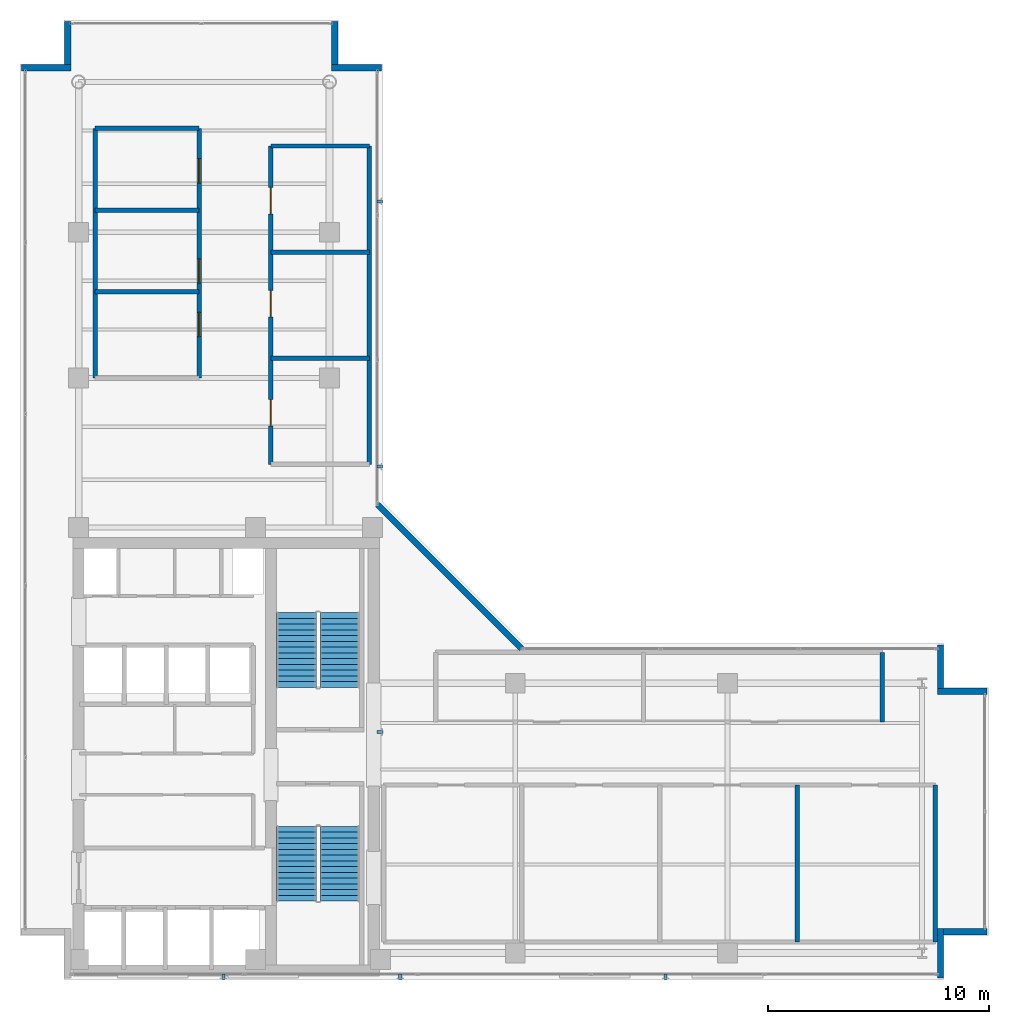
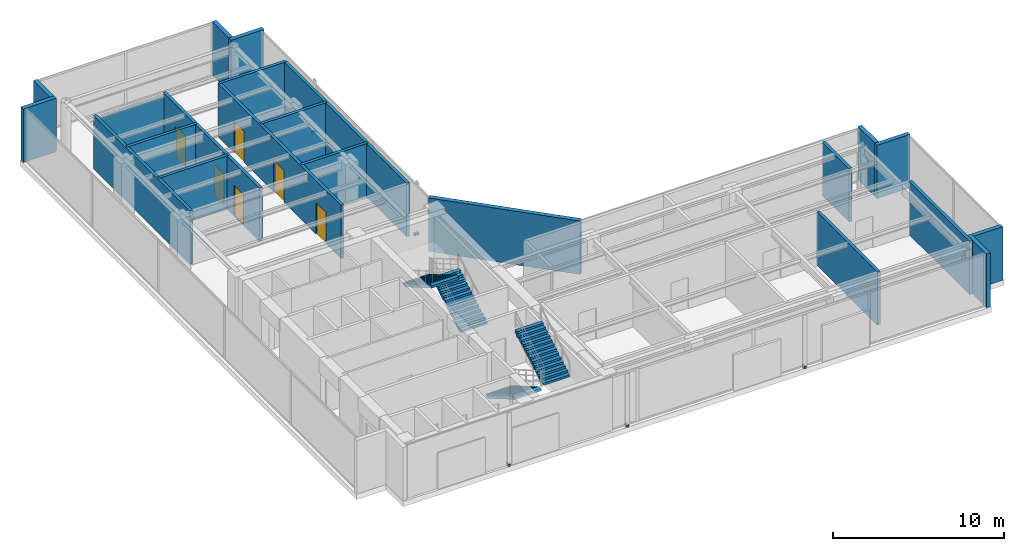
# One storey, part 21 of 24: 22 walls, 6 discrete accessories, 6 doors, 4 stair flights, 6 openings, 2 elements without a shape of their own.
"""IFC4 building model written with IfcOpenShell, lengths in metres."""

from ifc_helpers import new_model, si_unit, direction, frame, frame_2d, origin, origin_with_axes, origin_2d, place, context, subcontext, project, spatial, polyline, rectangle, outline, extrude, source, transform, mapped, material, layer, layer_set, type_object, element, fill, aggregate, save


model = new_model("IFC4")

# Units and contexts
model_context = context("Model", 3, precision=1e-05, world=origin(), true_north=direction((0.0, 1.0)))
body_context = subcontext(model_context, "Body", "Model", "MODEL_VIEW")
ifc_project = project(units=[si_unit("LENGTHUNIT", "METRE"), si_unit("AREAUNIT", "SQUARE_METRE"), si_unit("VOLUMEUNIT", "CUBIC_METRE"), si_unit("PLANEANGLEUNIT", "RADIAN"), si_unit("MASSUNIT", "GRAM", prefix="KILO")], contexts=[model_context])

# Site, building, storey
site_placement = place(None, origin())
site = spatial("IfcSite", under=ifc_project, at=site_placement, CompositionType="ELEMENT")
building_placement = place(site_placement, origin())
building = spatial("IfcBuilding", under=site, at=building_placement, Name="Kolvaren Waterfront Exchange", CompositionType="ELEMENT")
storey_placement = place(building_placement, frame((0.0, 0.0, 356.199951171875)))
storey = spatial("IfcBuildingStorey", under=building, at=storey_placement, Name="L91", CompositionType="ELEMENT", Elevation=356.199951171875)

# Walls
ifc_material_1 = material(Name="Precast concrete C40/50", Category="concrete")
ifc_layer_1 = layer(ifc_material_1, 0.280029296875, Name="Precast concrete C40/50")
ifc_layer_set_1 = layer_set([ifc_layer_1], Name="Precast concrete C40/50")
wall_type_1 = type_object("IfcWallType", Name="ARC-EXT-TERR-280", PredefinedType="SOLIDWALL", material=ifc_layer_set_1)
wall_1_placement = place(storey_placement, frame((46.43994140625, 4.06005859375, 0.0), z_axis=(0.0, 0.0, 1.0), x_axis=(0.0, 1.0, 0.0)))
element("IfcWall", 1, at=wall_1_placement, inside=storey, type_object=wall_type_1, Name="L91 notched corner spandrel pier SE-A", PredefinedType="SOLIDWALL", context=body_context, shape_type="SweptSolid", body=[
    extrude(rectangle(XDim=2.239990234375, YDim=0.280029296875, at=frame_2d((1.1201171875, 0.0))), origin(), (0.0, 0.0, 1.0), 3.820068359375),
])
wall_2_placement = place(storey_placement, frame((46.580078125, 6.159912109375, 0.0), z_axis=(0.0, 0.0, 1.0), x_axis=(1.0, 0.0, 0.0)))
element("IfcWall", 2, at=wall_2_placement, inside=storey, type_object=wall_type_1, Name="L91 notched corner spandrel pier SE-B", PredefinedType="SOLIDWALL", context=body_context, shape_type="SweptSolid", body=[
    extrude(rectangle(XDim=1.9599609375, YDim=0.280029296875, at=frame_2d((0.97998046875, 0.0))), origin(), (0.0, 0.0, 1.0), 3.820068359375),
])
wall_3_placement = place(storey_placement, frame((46.43994140625, 17.1650390625, 0.0), z_axis=(0.0, 0.0, 1.0), x_axis=(0.0, 1.0, 0.0)))
element("IfcWall", 3, at=wall_3_placement, inside=storey, type_object=wall_type_1, Name="L91 notched corner spandrel pier ENE-A", PredefinedType="SOLIDWALL", context=body_context, shape_type="SweptSolid", body=[
    extrude(rectangle(XDim=1.974853515625, YDim=0.280029296875, at=frame_2d((0.9873046875, 0.0))), origin(), (0.0, 0.0, 1.0), 3.820068359375),
])
for number, where, z_axis, x_axis, name in (
    (4, (46.300048828125, 17.0400390625, 0.0), (0.0, 0.0, 1.0), (1.0, 0.0, 0.0), "L91 notched corner spandrel pier ENE-B"),
    (5, (18.89990234375, 45.239990234375, 0.0), (0.0, 0.0, 1.0), (1.0, 0.0, 0.0), "L91 notched corner spandrel pier NNE-A"),
):
    element("IfcWall", number, at=place(storey_placement, frame(where, z_axis=z_axis, x_axis=x_axis)), inside=storey, type_object=wall_type_1, Name=name, PredefinedType="SOLIDWALL", context=body_context, shape_type="SweptSolid", body=[
        extrude(rectangle(XDim=2.239990234375, YDim=0.280029296875, at=frame_2d((1.1201171875, 0.0))), origin(), (0.0, 0.0, 1.0), 3.820068359375),
    ])
wall_4_placement = place(storey_placement, frame((19.0400390625, 45.3798828125, 0.0), z_axis=(0.0, 0.0, 1.0), x_axis=(0.0, 1.0, 0.0)))
element("IfcWall", 6, at=wall_4_placement, inside=storey, type_object=wall_type_1, Name="L91 notched corner spandrel pier NNE-B", PredefinedType="SOLIDWALL", context=body_context, shape_type="SweptSolid", body=[
    extrude(rectangle(XDim=1.960205078125, YDim=0.280029296875, at=frame_2d((0.97998046875, 0.0))), origin(), (0.0, 0.0, 1.0), 3.820068359375),
])
wall_5_placement = place(storey_placement, frame((4.860107421875, 45.239990234375, 0.0), z_axis=(0.0, 0.0, 1.0), x_axis=(1.0, 0.0, 0.0)))
element("IfcWall", 7, at=wall_5_placement, inside=storey, type_object=wall_type_1, Name="L91 notched corner spandrel pier NW-A", PredefinedType="SOLIDWALL", context=body_context, shape_type="SweptSolid", body=[
    extrude(rectangle(XDim=2.239990234375, YDim=0.280029296875, at=frame_2d((1.1201171875, 0.0))), origin(), (0.0, 0.0, 1.0), 3.820068359375),
])
wall_6_placement = place(storey_placement, frame((6.9599609375, 45.3798828125, 0.0), z_axis=(0.0, 0.0, 1.0), x_axis=(0.0, 1.0, 0.0)))
element("IfcWall", 8, at=wall_6_placement, inside=storey, type_object=wall_type_1, Name="L91 notched corner spandrel pier NW-B", PredefinedType="SOLIDWALL", context=body_context, shape_type="SweptSolid", body=[
    extrude(rectangle(XDim=1.960205078125, YDim=0.280029296875, at=frame_2d((0.97998046875, 0.0))), origin(), (0.0, 0.0, 1.0), 3.820068359375),
])
wall_7_placement = place(storey_placement, frame((27.485107421875, 18.97509765625, 0.0), z_axis=(0.0, 0.0, 1.0), x_axis=(-0.707106781187, 0.707106781187, 0.0)))
element("IfcWall", 9, at=wall_7_placement, inside=storey, type_object=wall_type_1, Name="L91 notched corner spandrel pier ELBOW", PredefinedType="SOLIDWALL", context=body_context, shape_type="SweptSolid", body=[
    extrude(rectangle(XDim=9.20654296875, YDim=0.280029296875, at=frame_2d((4.603271484375, 0.0))), origin(), (0.0, 0.0, 1.0), 3.820068359375),
])
ifc_layer_2 = layer(ifc_material_1, 0.199951171875, Name="Precast concrete C40/50")
ifc_layer_set_2 = layer_set([ifc_layer_2], Name="Precast concrete C40/50")
wall_type_2 = type_object("IfcWallType", Name="ARC-FIRE-200", PredefinedType="PARTITIONING", material=ifc_layer_set_2)
wall_8_placement = place(storey_placement, frame((43.800048828125, 15.64990234375, 0.0), z_axis=(0.0, 0.0, 1.0), x_axis=(0.0, 1.0, 0.0)))
element("IfcWall", 10, at=wall_8_placement, inside=storey, type_object=wall_type_2, Name="L91 interior wall PW-L91-NEPL-E", PredefinedType="PARTITIONING", context=body_context, shape_type="SweptSolid", body=[
    extrude(rectangle(XDim=3.150146484375, YDim=0.199951171875, at=frame_2d((1.5751953125, 0.0))), origin(), (0.0, 0.0, 1.0), 3.820068359375),
])
for number, where, z_axis, x_axis, name in (
    (11, (46.199951171875, 5.699951171875, 0.0), (0.0, 0.0, 1.0), (0.0, 1.0, 0.0), "L91 interior wall PW-L91-PL-E1"),
    (12, (39.9599609375, 5.699951171875, 0.0), (0.0, 0.0, 1.0), (0.0, 1.0, 0.0), "L91 interior wall PW-L91-PL-M1-3"),
):
    element("IfcWall", number, at=place(storey_placement, frame(where, z_axis=z_axis, x_axis=x_axis)), inside=storey, type_object=wall_type_2, Name=name, PredefinedType="PARTITIONING", context=body_context, shape_type="SweptSolid", body=[
        extrude(rectangle(XDim=7.10009765625, YDim=0.199951171875, at=frame_2d((3.550048828125, 0.0))), origin(), (0.0, 0.0, 1.0), 3.820068359375),
    ])

# Wall, openings, doors
wall_9_placement = place(storey_placement, frame((12.89990234375, 31.199951171875, 0.0), z_axis=(0.0, 0.0, 1.0), x_axis=(0.0, 1.0, 0.0)))
wall_9 = element("IfcWall", 13, at=wall_9_placement, inside=storey, type_object=wall_type_2, Name="L91 interior wall PW-L91-PL-E3", PredefinedType="PARTITIONING", context=body_context, shape_type="SweptSolid", body=[
    extrude(rectangle(XDim=11.300048828125, YDim=0.199951171875, at=frame_2d((5.64990234375, 0.0))), origin(), (0.0, 0.0, 1.0), 3.820068359375),
])
opening_1_placement = place(wall_9_placement, frame((1.875, 0.0, 0.0)))
opening_1 = element("IfcOpeningElement", 14, at=opening_1_placement, cuts=wall_9, Name="Opening FD2", PredefinedType="OPENING", context=body_context, shape_type="SweptSolid", body=[
    extrude(rectangle(XDim=1.10009765625, YDim=2.199951171875, at=frame_2d((0.550048828125, 1.10009765625))), frame((0.0, 0.10986328125, 0.0), z_axis=(0.0, -1.0, 0.0), x_axis=(1.0, 0.0, 0.0)), (0.0, 0.0, 1.0), 0.219970703125),
])
opening_2_placement = place(wall_9_placement, frame((4.300048828125, 0.0, 0.0)))
opening_2 = element("IfcOpeningElement", 15, at=opening_2_placement, cuts=wall_9, Name="Opening FD2", PredefinedType="OPENING", context=body_context, shape_type="SweptSolid", body=[
    extrude(rectangle(XDim=1.10009765625, YDim=2.199951171875, at=frame_2d((0.550048828125, 1.10009765625))), frame((0.0, 0.10986328125, 0.0), z_axis=(0.0, -1.0, 0.0), x_axis=(1.0, 0.0, 0.0)), (0.0, 0.0, 1.0), 0.219970703125),
])
opening_3_placement = place(wall_9_placement, frame((8.827392578125, 0.0, 0.0)))
opening_3 = element("IfcOpeningElement", 16, at=opening_3_placement, cuts=wall_9, Name="Opening FD2", PredefinedType="OPENING", context=body_context, shape_type="SweptSolid", body=[
    extrude(rectangle(XDim=1.10009765625, YDim=2.199951171875, at=frame_2d((0.550048828125, 1.10009765625))), frame((0.0, 0.10986328125, 0.0), z_axis=(0.0, -1.0, 0.0), x_axis=(1.0, 0.0, 0.0)), (0.0, 0.0, 1.0), 0.219970703125),
])
ifc_material_2 = material(Name="Pressed steel smoke-seal fire door", Category="steel")
door_type_1 = type_object("IfcDoorType", Name="ARC-FD-1100", OperationType="NOTDEFINED", PredefinedType="DOOR", material=ifc_material_2)
door_1_placement = place(opening_1_placement, origin())
door_1 = element("IfcDoor", 17, at=door_1_placement, inside=storey, type_object=door_type_1, Name="L91 door DR-L91-PLNW-D1 (FD2)", OperationType="SINGLE_SWING_LEFT", OverallHeight=2.199951171875, OverallWidth=1.10009765625, PredefinedType="DOOR", context=body_context, shape_type="SweptSolid", body=[
    extrude(rectangle(XDim=1.10009765625, YDim=2.199951171875, at=frame_2d((0.550048828125, 1.10009765625))), frame((0.0, 0.02490234375, 0.0), z_axis=(0.0, -1.0, 0.0), x_axis=(1.0, 0.0, 0.0)), (0.0, 0.0, 1.0), 0.050048828125),
])
fill(opening_1, door_1)
door_2_placement = place(opening_2_placement, origin())
door_2 = element("IfcDoor", 18, at=door_2_placement, inside=storey, type_object=door_type_1, Name="L91 door DR-L91-PLNW-D2 (FD2)", OperationType="SINGLE_SWING_RIGHT", OverallHeight=2.199951171875, OverallWidth=1.10009765625, PredefinedType="DOOR", context=body_context, shape_type="SweptSolid", body=[
    extrude(rectangle(XDim=1.10009765625, YDim=2.199951171875, at=frame_2d((0.550048828125, 1.10009765625))), frame((0.0, 0.02490234375, 0.0), z_axis=(0.0, -1.0, 0.0), x_axis=(1.0, 0.0, 0.0)), (0.0, 0.0, 1.0), 0.050048828125),
])
fill(opening_2, door_2)
door_3_placement = place(opening_3_placement, origin())
door_3 = element("IfcDoor", 19, at=door_3_placement, inside=storey, type_object=door_type_1, Name="L91 door DR-L91-PLNW-D3 (FD2)", OperationType="SINGLE_SWING_LEFT", OverallHeight=2.199951171875, OverallWidth=1.10009765625, PredefinedType="DOOR", context=body_context, shape_type="SweptSolid", body=[
    extrude(rectangle(XDim=1.10009765625, YDim=2.199951171875, at=frame_2d((0.550048828125, 1.10009765625))), frame((0.0, 0.02490234375, 0.0), z_axis=(0.0, -1.0, 0.0), x_axis=(1.0, 0.0, 0.0)), (0.0, 0.0, 1.0), 0.050048828125),
])
fill(opening_3, door_3)

# Walls
wall_10_placement = place(storey_placement, frame((8.199951171875, 31.199951171875, 0.0), z_axis=(0.0, 0.0, 1.0), x_axis=(0.0, 1.0, 0.0)))
element("IfcWall", 20, at=wall_10_placement, inside=storey, type_object=wall_type_2, Name="L91 interior wall PW-L91-PL-W3", PredefinedType="PARTITIONING", context=body_context, shape_type="SweptSolid", body=[
    extrude(rectangle(XDim=11.300048828125, YDim=0.199951171875, at=frame_2d((5.64990234375, 0.0))), origin(), (0.0, 0.0, 1.0), 3.820068359375),
])
wall_11_placement = place(storey_placement, frame((8.199951171875, 42.5, 0.0), z_axis=(0.0, 0.0, 1.0), x_axis=(1.0, 0.0, 0.0)))
element("IfcWall", 21, at=wall_11_placement, inside=storey, type_object=wall_type_2, Name="L91 interior wall PW-L91-PL-N3", PredefinedType="PARTITIONING", context=body_context, shape_type="SweptSolid", body=[
    extrude(rectangle(XDim=4.699951171875, YDim=0.199951171875, at=frame_2d((2.35009765625, 0.0))), origin(), (0.0, 0.0, 1.0), 3.52001953125),
])
for number, where, z_axis, x_axis, name in (
    (22, (8.199951171875, 35.10009765625, 0.0), (0.0, 0.0, 1.0), (1.0, 0.0, 0.0), "L91 interior wall PW-L91-PL-M3-1"),
    (23, (8.199951171875, 38.800048828125, 0.0), (0.0, 0.0, 1.0), (1.0, 0.0, 0.0), "L91 interior wall PW-L91-PL-M3-2"),
):
    element("IfcWall", number, at=place(storey_placement, frame(where, z_axis=z_axis, x_axis=x_axis)), inside=storey, type_object=wall_type_2, Name=name, PredefinedType="PARTITIONING", context=body_context, shape_type="SweptSolid", body=[
        extrude(rectangle(XDim=4.699951171875, YDim=0.199951171875, at=frame_2d((2.35009765625, 0.0))), origin(), (0.0, 0.0, 1.0), 3.820068359375),
    ])

# Wall, openings, doors
wall_12_placement = place(storey_placement, frame((16.14990234375, 27.300048828125, 0.0), z_axis=(0.0, 0.0, 1.0), x_axis=(0.0, 1.0, 0.0)))
wall_12 = element("IfcWall", 24, at=wall_12_placement, inside=storey, type_object=wall_type_2, Name="L91 interior wall PW-L91-PL-W4", PredefinedType="PARTITIONING", context=body_context, shape_type="SweptSolid", body=[
    extrude(rectangle(XDim=14.39990234375, YDim=0.199951171875, at=frame_2d((7.199951171875, 0.0))), origin(), (0.0, 0.0, 1.0), 3.820068359375),
])
opening_4_placement = place(wall_12_placement, frame((1.72900390625, 0.0, 0.0)))
opening_4 = element("IfcOpeningElement", 25, at=opening_4_placement, cuts=wall_12, Name="Opening FD3", PredefinedType="OPENING", context=body_context, shape_type="SweptSolid", body=[
    extrude(rectangle(XDim=1.199951171875, YDim=2.25, at=frame_2d((0.60009765625, 1.125))), frame((0.0, 0.10986328125, 0.0), z_axis=(0.0, -1.0, 0.0), x_axis=(1.0, 0.0, 0.0)), (0.0, 0.0, 1.0), 0.219970703125),
])
opening_5_placement = place(wall_12_placement, frame((6.671142578125, 0.0, 0.0)))
opening_5 = element("IfcOpeningElement", 26, at=opening_5_placement, cuts=wall_12, Name="Opening FD3", PredefinedType="OPENING", context=body_context, shape_type="SweptSolid", body=[
    extrude(rectangle(XDim=1.199951171875, YDim=2.25, at=frame_2d((0.60009765625, 1.125))), frame((0.0, 0.10986328125, 0.0), z_axis=(0.0, -1.0, 0.0), x_axis=(1.0, 0.0, 0.0)), (0.0, 0.0, 1.0), 0.219970703125),
])
opening_6_placement = place(wall_12_placement, frame((11.328857421875, 0.0, 0.0)))
opening_6 = element("IfcOpeningElement", 27, at=opening_6_placement, cuts=wall_12, Name="Opening FD3", PredefinedType="OPENING", context=body_context, shape_type="SweptSolid", body=[
    extrude(rectangle(XDim=1.199951171875, YDim=2.25, at=frame_2d((0.60009765625, 1.125))), frame((0.0, 0.10986328125, 0.0), z_axis=(0.0, -1.0, 0.0), x_axis=(1.0, 0.0, 0.0)), (0.0, 0.0, 1.0), 0.219970703125),
])
ifc_material_3 = material(Name="Pressed steel fire door", Category="steel")
door_type_2 = type_object("IfcDoorType", Name="ARC-FD-1200", OperationType="NOTDEFINED", PredefinedType="DOOR", material=ifc_material_3)
door_4_placement = place(opening_4_placement, origin())
door_4 = element("IfcDoor", 28, at=door_4_placement, inside=storey, type_object=door_type_2, Name="L91 door DR-L91-PLNER-D1 (FD3)", OperationType="SINGLE_SWING_RIGHT", OverallHeight=2.25, OverallWidth=1.199951171875, PredefinedType="DOOR", context=body_context, shape_type="SweptSolid", body=[
    extrude(rectangle(XDim=1.199951171875, YDim=2.25, at=frame_2d((0.60009765625, 1.125))), frame((0.0, 0.02490234375, 0.0), z_axis=(0.0, -1.0, 0.0), x_axis=(1.0, 0.0, 0.0)), (0.0, 0.0, 1.0), 0.050048828125),
])
fill(opening_4, door_4)
door_5_placement = place(opening_5_placement, origin())
door_5 = element("IfcDoor", 29, at=door_5_placement, inside=storey, type_object=door_type_2, Name="L91 door DR-L91-PLNER-D2 (FD3)", OperationType="SINGLE_SWING_LEFT", OverallHeight=2.25, OverallWidth=1.199951171875, PredefinedType="DOOR", context=body_context, shape_type="SweptSolid", body=[
    extrude(rectangle(XDim=1.199951171875, YDim=2.25, at=frame_2d((0.60009765625, 1.125))), frame((0.0, 0.02490234375, 0.0), z_axis=(0.0, -1.0, 0.0), x_axis=(1.0, 0.0, 0.0)), (0.0, 0.0, 1.0), 0.050048828125),
])
fill(opening_5, door_5)
door_6_placement = place(opening_6_placement, origin())
door_6 = element("IfcDoor", 30, at=door_6_placement, inside=storey, type_object=door_type_2, Name="L91 door DR-L91-PLNER-D3 (FD3)", OperationType="SINGLE_SWING_RIGHT", OverallHeight=2.25, OverallWidth=1.199951171875, PredefinedType="DOOR", context=body_context, shape_type="SweptSolid", body=[
    extrude(rectangle(XDim=1.199951171875, YDim=2.25, at=frame_2d((0.60009765625, 1.125))), frame((0.0, 0.02490234375, 0.0), z_axis=(0.0, -1.0, 0.0), x_axis=(1.0, 0.0, 0.0)), (0.0, 0.0, 1.0), 0.050048828125),
])
fill(opening_6, door_6)

# Walls
wall_13_placement = place(storey_placement, frame((20.60009765625, 27.300048828125, 0.0), z_axis=(0.0, 0.0, 1.0), x_axis=(0.0, 1.0, 0.0)))
element("IfcWall", 31, at=wall_13_placement, inside=storey, type_object=wall_type_2, Name="L91 interior wall PW-L91-PL-E4", PredefinedType="PARTITIONING", context=body_context, shape_type="SweptSolid", body=[
    extrude(rectangle(XDim=14.39990234375, YDim=0.199951171875, at=frame_2d((7.199951171875, 0.0))), origin(), (0.0, 0.0, 1.0), 3.820068359375),
])
for number, where, z_axis, x_axis, name in (
    (32, (16.14990234375, 41.699951171875, 0.0), (0.0, 0.0, 1.0), (1.0, 0.0, 0.0), "L91 interior wall PW-L91-PL-N4"),
    (33, (16.14990234375, 32.10009765625, 0.0), (0.0, 0.0, 1.0), (1.0, 0.0, 0.0), "L91 interior wall PW-L91-PL-M4-1"),
    (34, (16.14990234375, 36.89990234375, 0.0), (0.0, 0.0, 1.0), (1.0, 0.0, 0.0), "L91 interior wall PW-L91-PL-M4-2"),
):
    element("IfcWall", number, at=place(storey_placement, frame(where, z_axis=z_axis, x_axis=x_axis)), inside=storey, type_object=wall_type_2, Name=name, PredefinedType="PARTITIONING", context=body_context, shape_type="SweptSolid", body=[
        extrude(rectangle(XDim=4.4501953125, YDim=0.199951171875, at=frame_2d((2.22509765625, 0.0))), origin(), (0.0, 0.0, 1.0), 3.820068359375),
    ])

# Stair, stair flights
ifc_material_4 = material(Name="Concrete C40/50", Category="concrete")
stair_type = type_object("IfcStairType", Name="ARC-STAIR-4200", PredefinedType="HALF_TURN_STAIR", material=ifc_material_4)
stair_1_placement = place(storey_placement, origin())
stair_1 = element("IfcStair", 35, at=stair_1_placement, inside=storey, type_object=stair_type, Name="L91 Smoke-proof exit stair ST1", PredefinedType="HALF_TURN_STAIR")
stair_flight_type = type_object("IfcStairFlightType", Name="ARC-FLIGHT-4200", PredefinedType="STRAIGHT", material=ifc_material_4)
stair_flight_1_placement = place(storey_placement, frame((17.300048828125, 10.929931640625, 0.0), z_axis=(0.0, 0.0, 1.0), x_axis=(0.0, -1.0, 0.0)))
stair_flight_1 = element("IfcStairFlight", 36, at=stair_flight_1_placement, type_object=stair_flight_type, Name="ST1 flight 1", NumberOfRisers=14, NumberOfTreads=13, PredefinedType="STRAIGHT", RiserHeight=0.15, TreadLength=0.26, context=body_context, shape_type="SweptSolid", body=[
    extrude(outline(polyline([(0.0, 0.0), (0.0, 0.14990234375), (0.260009765625, 0.14990234375), (0.260009765625, 0.300048828125), (0.52001953125, 0.300048828125), (0.52001953125, 0.449951171875), (0.780029296875, 0.449951171875), (0.780029296875, 0.60009765625), (1.0400390625, 0.60009765625), (1.0400390625, 0.75), (1.300048828125, 0.75), (1.300048828125, 0.89990234375), (1.56005859375, 0.89990234375), (1.56005859375, 1.050048828125), (1.820068359375, 1.050048828125), (1.820068359375, 1.199951171875), (2.080078125, 1.199951171875), (2.080078125, 1.35009765625), (2.340087890625, 1.35009765625), (2.340087890625, 1.5), (2.60009765625, 1.5), (2.60009765625, 1.64990234375), (2.860107421875, 1.64990234375), (2.860107421875, 1.800048828125), (3.1201171875, 1.800048828125), (3.1201171875, 1.949951171875), (3.3798828125, 1.949951171875), (3.3798828125, 2.10009765625), (3.3798828125, 1.77685546875), (0.300048828125, 0.0), (0.0, 0.0)])), frame((0.0, 0.89990234375, 0.0), z_axis=(0.0, -1.0, 0.0), x_axis=(1.0, 0.0, 0.0)), (0.0, 0.0, 1.0), 1.800048828125),
])
stair_flight_2_placement = place(storey_placement, frame((19.260009765625, 7.550048828125, 2.10009765625), z_axis=(0.0, 0.0, 1.0), x_axis=(0.0, 1.0, 0.0)))
stair_flight_2 = element("IfcStairFlight", 37, at=stair_flight_2_placement, type_object=stair_flight_type, Name="ST1 flight 2", NumberOfRisers=14, NumberOfTreads=13, PredefinedType="STRAIGHT", RiserHeight=0.15, TreadLength=0.26, context=body_context, shape_type="SweptSolid", body=[
    extrude(outline(polyline([(0.0, 0.0), (0.0, 0.14990234375), (0.260009765625, 0.14990234375), (0.260009765625, 0.300048828125), (0.52001953125, 0.300048828125), (0.52001953125, 0.449951171875), (0.780029296875, 0.449951171875), (0.780029296875, 0.60009765625), (1.0400390625, 0.60009765625), (1.0400390625, 0.75), (1.300048828125, 0.75), (1.300048828125, 0.89990234375), (1.56005859375, 0.89990234375), (1.56005859375, 1.050048828125), (1.820068359375, 1.050048828125), (1.820068359375, 1.199951171875), (2.080078125, 1.199951171875), (2.080078125, 1.35009765625), (2.340087890625, 1.35009765625), (2.340087890625, 1.5), (2.60009765625, 1.5), (2.60009765625, 1.64990234375), (2.860107421875, 1.64990234375), (2.860107421875, 1.800048828125), (3.1201171875, 1.800048828125), (3.1201171875, 1.949951171875), (3.3798828125, 1.949951171875), (3.3798828125, 2.10009765625), (3.3798828125, 1.77685546875), (0.300048828125, 0.0), (0.0, 0.0)])), frame((0.0, 0.89990234375, 0.0), z_axis=(0.0, -1.0, 0.0), x_axis=(1.0, 0.0, 0.0)), (0.0, 0.0, 1.0), 1.800048828125),
])
aggregate(stair_1, [stair_flight_1, stair_flight_2])

stair_2_placement = place(storey_placement, origin())
stair_2 = element("IfcStair", 38, at=stair_2_placement, inside=storey, type_object=stair_type, Name="L91 Smoke-proof exit stair ST2", PredefinedType="HALF_TURN_STAIR")
stair_flight_3_placement = place(storey_placement, frame((19.260009765625, 17.219970703125, 0.0), z_axis=(0.0, 0.0, 1.0), x_axis=(0.0, 1.0, 0.0)))
stair_flight_3 = element("IfcStairFlight", 39, at=stair_flight_3_placement, type_object=stair_flight_type, Name="ST2 flight 1", NumberOfRisers=14, NumberOfTreads=13, PredefinedType="STRAIGHT", RiserHeight=0.15, TreadLength=0.26, context=body_context, shape_type="SweptSolid", body=[
    extrude(outline(polyline([(0.0, 0.0), (0.0, 0.14990234375), (0.260009765625, 0.14990234375), (0.260009765625, 0.300048828125), (0.52001953125, 0.300048828125), (0.52001953125, 0.449951171875), (0.780029296875, 0.449951171875), (0.780029296875, 0.60009765625), (1.0400390625, 0.60009765625), (1.0400390625, 0.75), (1.300048828125, 0.75), (1.300048828125, 0.89990234375), (1.56005859375, 0.89990234375), (1.56005859375, 1.050048828125), (1.820068359375, 1.050048828125), (1.820068359375, 1.199951171875), (2.080078125, 1.199951171875), (2.080078125, 1.35009765625), (2.340087890625, 1.35009765625), (2.340087890625, 1.5), (2.60009765625, 1.5), (2.60009765625, 1.64990234375), (2.860107421875, 1.64990234375), (2.860107421875, 1.800048828125), (3.1201171875, 1.800048828125), (3.1201171875, 1.949951171875), (3.3798828125, 1.949951171875), (3.3798828125, 2.10009765625), (3.3798828125, 1.77685546875), (0.300048828125, 0.0), (0.0, 0.0)])), frame((0.0, 0.89990234375, 0.0), z_axis=(0.0, -1.0, 0.0), x_axis=(1.0, 0.0, 0.0)), (0.0, 0.0, 1.0), 1.800048828125),
])
stair_flight_4_placement = place(storey_placement, frame((17.300048828125, 20.60009765625, 2.10009765625), z_axis=(0.0, 0.0, 1.0), x_axis=(0.0, -1.0, 0.0)))
stair_flight_4 = element("IfcStairFlight", 40, at=stair_flight_4_placement, type_object=stair_flight_type, Name="ST2 flight 2", NumberOfRisers=14, NumberOfTreads=13, PredefinedType="STRAIGHT", RiserHeight=0.15, TreadLength=0.26, context=body_context, shape_type="SweptSolid", body=[
    extrude(outline(polyline([(0.0, 0.0), (0.0, 0.14990234375), (0.260009765625, 0.14990234375), (0.260009765625, 0.300048828125), (0.52001953125, 0.300048828125), (0.52001953125, 0.449951171875), (0.780029296875, 0.449951171875), (0.780029296875, 0.60009765625), (1.0400390625, 0.60009765625), (1.0400390625, 0.75), (1.300048828125, 0.75), (1.300048828125, 0.89990234375), (1.56005859375, 0.89990234375), (1.56005859375, 1.050048828125), (1.820068359375, 1.050048828125), (1.820068359375, 1.199951171875), (2.080078125, 1.199951171875), (2.080078125, 1.35009765625), (2.340087890625, 1.35009765625), (2.340087890625, 1.5), (2.60009765625, 1.5), (2.60009765625, 1.64990234375), (2.860107421875, 1.64990234375), (2.860107421875, 1.800048828125), (3.1201171875, 1.800048828125), (3.1201171875, 1.949951171875), (3.3798828125, 1.949951171875), (3.3798828125, 2.10009765625), (3.3798828125, 1.77685546875), (0.300048828125, 0.0), (0.0, 0.0)])), frame((0.0, 0.89990234375, 0.0), z_axis=(0.0, -1.0, 0.0), x_axis=(1.0, 0.0, 0.0)), (0.0, 0.0, 1.0), 1.800048828125),
])
aggregate(stair_2, [stair_flight_3, stair_flight_4])

# Discrete accessories
ifc_material_5 = material(Name="Stainless steel 316", Category="steel")
discrete_accessory_type = type_object("IfcDiscreteAccessoryType", Name="ARC-BRK-FIN", PredefinedType="BRACKET", material=ifc_material_5)
shared_shape = source(origin_with_axes(), body_context, "Body", "SweptSolid", [
    extrude(rectangle(XDim=0.280029296875, YDim=0.139892578125, at=origin_2d()), origin(), (0.0, 0.0, 1.0), 0.159912109375),
])
for number, where, z_axis, x_axis, name in (
    (41, (14.0, 4.1201171875, 0.0), (0.0, 0.0, 1.0), (0.0, -1.0, 0.0), "L91 bronze fin anchor bracket FIN-L91-S1"),
    (42, (22.0, 4.1201171875, 0.0), (0.0, 0.0, 1.0), (0.0, -1.0, 0.0), "L91 bronze fin anchor bracket FIN-L91-S2"),
    (43, (34.0, 4.1201171875, 0.0), (0.0, 0.0, 1.0), (0.0, -1.0, 0.0), "L91 bronze fin anchor bracket FIN-L91-S3"),
    (44, (21.080078125, 15.199951171875, 0.0), (0.0, 0.0, 1.0), (1.0, 0.0, 0.0), "L91 bronze fin anchor bracket FIN-L91-E1"),
    (45, (21.080078125, 27.199951171875, 0.0), (0.0, 0.0, 1.0), (1.0, 0.0, 0.0), "L91 bronze fin anchor bracket FIN-L91-E2"),
    (46, (21.080078125, 39.199951171875, 0.0), (0.0, 0.0, 1.0), (1.0, 0.0, 0.0), "L91 bronze fin anchor bracket FIN-L91-E3"),
):
    element("IfcDiscreteAccessory", number, at=place(storey_placement, frame(where, z_axis=z_axis, x_axis=x_axis)), inside=storey, type_object=discrete_accessory_type, Name=name, PredefinedType="BRACKET", context=body_context, shape_type="MappedRepresentation", body=[
        mapped(shared_shape, transform((0.0, 0.0, 0.0), x_axis=(1.0, 0.0, 0.0), y_axis=(0.0, 1.0, 0.0), z_axis=(0.0, 0.0, 1.0), scale=1.0)),
    ])

save(model, "model.ifc")
